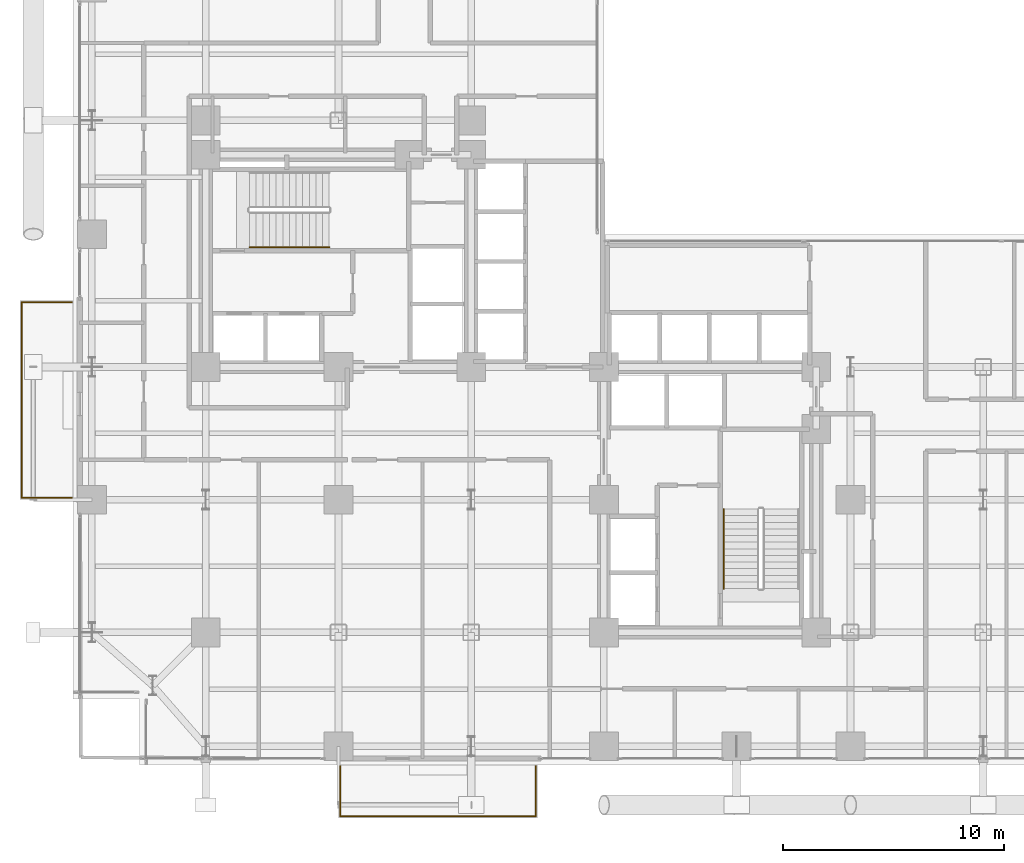
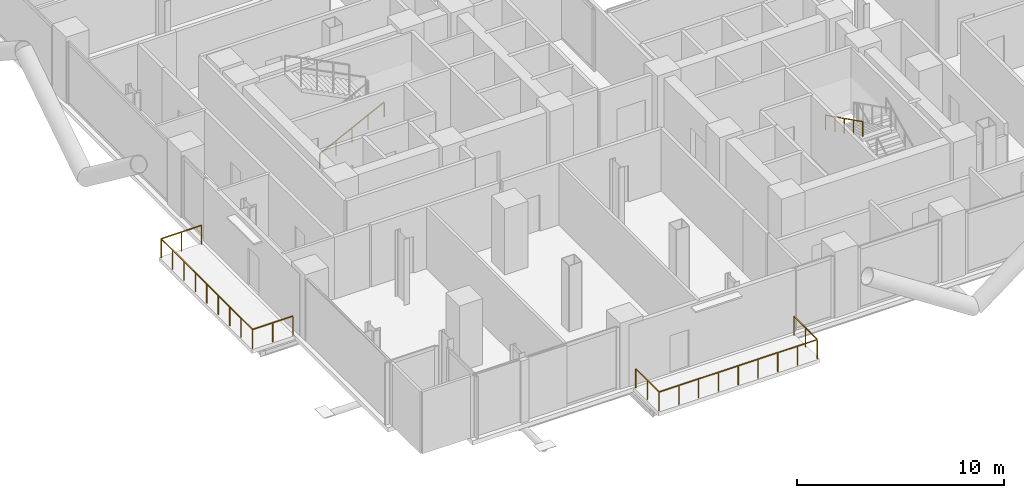
# One storey, part 24 of 25: 4 railings.
"""IFC4 building model written with IfcOpenShell, lengths in metres."""

from ifc_helpers import new_model, si_unit, direction, frame, origin, origin_2d, place, context, subcontext, project, spatial, rectangle, extrude, material, type_object, element, save


model = new_model("IFC4")

# Units and contexts
model_context = context("Model", 3, precision=1e-05, world=origin(), true_north=direction((0.0, 1.0)))
body_context = subcontext(model_context, "Body", "Model", "MODEL_VIEW")
ifc_project = project(units=[si_unit("LENGTHUNIT", "METRE"), si_unit("AREAUNIT", "SQUARE_METRE"), si_unit("VOLUMEUNIT", "CUBIC_METRE"), si_unit("PLANEANGLEUNIT", "RADIAN"), si_unit("MASSUNIT", "GRAM", prefix="KILO"), si_unit("THERMODYNAMICTEMPERATUREUNIT", "KELVIN"), si_unit("POWERUNIT", "WATT")], contexts=[model_context])

# Site, building, storey
site_placement = place(None, origin())
site = spatial("IfcSite", under=ifc_project, at=site_placement, CompositionType="ELEMENT")
building_placement = place(site_placement, origin())
building = spatial("IfcBuilding", under=site, at=building_placement, Name="Svarakhadi Broadcast Tower", CompositionType="ELEMENT")
storey_placement = place(building_placement, frame((0.0, 0.0, 63.60009765625)))
storey = spatial("IfcBuildingStorey", under=building, at=storey_placement, Name="L14", CompositionType="ELEMENT", Elevation=63.60009765625)

# Railings
ifc_material_1 = material(Name="Laminated Structural SentryGlas Balustrade 25.5 mm", Category="glass")
railing_type_1 = type_object("IfcRailingType", Name="Guard_Balcony_GR01", PredefinedType="BALUSTRADE", material=ifc_material_1)
railing_1_placement = place(storey_placement, frame((12.080078125, -0.06005859375, 0.0)))
element("IfcRailing", 1, at=railing_1_placement, inside=storey, type_object=railing_type_1, Name="L14 South Tree Balcony Guard GR-05", PredefinedType="BALUSTRADE", context=body_context, shape_type="SweptSolid", body=[
    extrude(rectangle(XDim=0.048095703125, YDim=0.048095703125, at=origin_2d()), frame((0.0, 0.0, 1.1259765625), z_axis=(0.0, -1.0, 0.0), x_axis=(1.0, 0.0, 0.0)), (0.0, 0.0, 1.0), 2.260009765625),
    extrude(rectangle(XDim=0.048095703125, YDim=0.048095703125, at=origin_2d()), frame((0.0, -2.260009765625, 1.1259765625), z_axis=(1.0, 0.0, 0.0), x_axis=(0.0, 1.0, 0.0)), (0.0, 0.0, 1.0), 8.83984375),
    extrude(rectangle(XDim=0.048095703125, YDim=0.048095703125, at=origin_2d()), frame((8.83984375, -2.260009765625, 1.1259765625), z_axis=(0.0, 1.0, 0.0), x_axis=(-1.0, 0.0, 0.0)), (0.0, 0.0, 1.0), 2.260009765625),
    extrude(rectangle(XDim=0.0419921875, YDim=0.0419921875, at=origin_2d()), origin(), (0.0, 0.0, 1.0), 1.101806640625),
    extrude(rectangle(XDim=0.0419921875, YDim=0.0419921875, at=origin_2d()), frame((0.0, -1.1298828125, 0.0)), (0.0, 0.0, 1.0), 1.101806640625),
    extrude(rectangle(XDim=0.0419921875, YDim=0.0419921875, at=origin_2d()), frame((0.0, -2.260009765625, 0.0)), (0.0, 0.0, 1.0), 1.101806640625),
    extrude(rectangle(XDim=0.0419921875, YDim=0.0419921875, at=origin_2d()), frame((1.10498046875, -2.260009765625, 0.0)), (0.0, 0.0, 1.0), 1.101806640625),
    extrude(rectangle(XDim=0.0419921875, YDim=0.0419921875, at=origin_2d()), frame((2.2099609375, -2.260009765625, 0.0)), (0.0, 0.0, 1.0), 1.101806640625),
    extrude(rectangle(XDim=0.0419921875, YDim=0.0419921875, at=origin_2d()), frame((3.31494140625, -2.260009765625, 0.0)), (0.0, 0.0, 1.0), 1.101806640625),
    extrude(rectangle(XDim=0.0419921875, YDim=0.0419921875, at=origin_2d()), frame((4.419921875, -2.260009765625, 0.0)), (0.0, 0.0, 1.0), 1.101806640625),
    extrude(rectangle(XDim=0.0419921875, YDim=0.0419921875, at=origin_2d()), frame((5.52490234375, -2.260009765625, 0.0)), (0.0, 0.0, 1.0), 1.101806640625),
    extrude(rectangle(XDim=0.0419921875, YDim=0.0419921875, at=origin_2d()), frame((6.6298828125, -2.260009765625, 0.0)), (0.0, 0.0, 1.0), 1.101806640625),
    extrude(rectangle(XDim=0.0419921875, YDim=0.0419921875, at=origin_2d()), frame((7.73486328125, -2.260009765625, 0.0)), (0.0, 0.0, 1.0), 1.101806640625),
    extrude(rectangle(XDim=0.0419921875, YDim=0.0419921875, at=origin_2d()), frame((8.83984375, -2.260009765625, 0.0)), (0.0, 0.0, 1.0), 1.101806640625),
    extrude(rectangle(XDim=0.0419921875, YDim=0.0419921875, at=origin_2d()), frame((8.83984375, -1.1298828125, 0.0)), (0.0, 0.0, 1.0), 1.101806640625),
    extrude(rectangle(XDim=0.0419921875, YDim=0.0419921875, at=origin_2d()), frame((8.83984375, 0.0, 0.0)), (0.0, 0.0, 1.0), 1.101806640625),
])
railing_2_placement = place(storey_placement, frame((-0.06005859375, 12.080078125, 0.0)))
element("IfcRailing", 2, at=railing_2_placement, inside=storey, type_object=railing_type_1, Name="L14 West Tree Balcony Guard GR-05", PredefinedType="BALUSTRADE", context=body_context, shape_type="SweptSolid", body=[
    extrude(rectangle(XDim=0.048095703125, YDim=0.048095703125, at=origin_2d()), frame((0.0, 0.0, 1.1259765625), z_axis=(-1.0, 0.0, 0.0), x_axis=(0.0, -1.0, 0.0)), (0.0, 0.0, 1.0), 2.260009765625),
    extrude(rectangle(XDim=0.048095703125, YDim=0.048095703125, at=origin_2d()), frame((-2.260009765625, 0.0, 1.1259765625), z_axis=(0.0, 1.0, 0.0), x_axis=(-1.0, 0.0, 0.0)), (0.0, 0.0, 1.0), 8.83984375),
    extrude(rectangle(XDim=0.048095703125, YDim=0.048095703125, at=origin_2d()), frame((-2.260009765625, 8.83984375, 1.1259765625), z_axis=(1.0, 0.0, 0.0), x_axis=(0.0, 1.0, 0.0)), (0.0, 0.0, 1.0), 2.260009765625),
    extrude(rectangle(XDim=0.0419921875, YDim=0.0419921875, at=origin_2d()), origin(), (0.0, 0.0, 1.0), 1.101806640625),
    extrude(rectangle(XDim=0.0419921875, YDim=0.0419921875, at=origin_2d()), frame((-1.1298828125, 0.0, 0.0)), (0.0, 0.0, 1.0), 1.101806640625),
    extrude(rectangle(XDim=0.0419921875, YDim=0.0419921875, at=origin_2d()), frame((-2.260009765625, 0.0, 0.0)), (0.0, 0.0, 1.0), 1.101806640625),
    extrude(rectangle(XDim=0.0419921875, YDim=0.0419921875, at=origin_2d()), frame((-2.260009765625, 1.10498046875, 0.0)), (0.0, 0.0, 1.0), 1.101806640625),
    extrude(rectangle(XDim=0.0419921875, YDim=0.0419921875, at=origin_2d()), frame((-2.260009765625, 2.2099609375, 0.0)), (0.0, 0.0, 1.0), 1.101806640625),
    extrude(rectangle(XDim=0.0419921875, YDim=0.0419921875, at=origin_2d()), frame((-2.260009765625, 3.31494140625, 0.0)), (0.0, 0.0, 1.0), 1.101806640625),
    extrude(rectangle(XDim=0.0419921875, YDim=0.0419921875, at=origin_2d()), frame((-2.260009765625, 4.419921875, 0.0)), (0.0, 0.0, 1.0), 1.101806640625),
    extrude(rectangle(XDim=0.0419921875, YDim=0.0419921875, at=origin_2d()), frame((-2.260009765625, 5.52490234375, 0.0)), (0.0, 0.0, 1.0), 1.101806640625),
    extrude(rectangle(XDim=0.0419921875, YDim=0.0419921875, at=origin_2d()), frame((-2.260009765625, 6.6298828125, 0.0)), (0.0, 0.0, 1.0), 1.101806640625),
    extrude(rectangle(XDim=0.0419921875, YDim=0.0419921875, at=origin_2d()), frame((-2.260009765625, 7.73486328125, 0.0)), (0.0, 0.0, 1.0), 1.101806640625),
    extrude(rectangle(XDim=0.0419921875, YDim=0.0419921875, at=origin_2d()), frame((-2.260009765625, 8.83984375, 0.0)), (0.0, 0.0, 1.0), 1.101806640625),
    extrude(rectangle(XDim=0.0419921875, YDim=0.0419921875, at=origin_2d()), frame((-1.1298828125, 8.83984375, 0.0)), (0.0, 0.0, 1.0), 1.101806640625),
    extrude(rectangle(XDim=0.0419921875, YDim=0.0419921875, at=origin_2d()), frame((0.0, 8.83984375, 0.0)), (0.0, 0.0, 1.0), 1.101806640625),
])
ifc_material_2 = material(Name="Anodised Bronze Aluminium AA 6063-T6", Category="aluminium")
railing_type_2 = type_object("IfcRailingType", Name="Handrail_Stair_HR01", PredefinedType="HANDRAIL", material=ifc_material_2)
railing_3_placement = place(storey_placement, frame((7.97998046875, 23.409912109375, 0.14990234375)))
element("IfcRailing", 3, at=railing_3_placement, inside=storey, type_object=railing_type_2, Name="L14 ST-01 stair handrail 1", PredefinedType="HANDRAIL", context=body_context, shape_type="SweptSolid", body=[
    extrude(rectangle(XDim=0.048095703125, YDim=0.048095703125, at=origin_2d()), frame((0.0, 0.0, 0.8759765625), z_axis=(0.894427191, 0.0, 0.4472135955), x_axis=(0.0, 1.0, 0.0)), (0.0, 0.0, 1.0), 4.025146484375),
    extrude(rectangle(XDim=0.0419921875, YDim=0.0419921875, at=origin_2d()), origin(), (0.0, 0.0, 1.0), 0.851806640625),
    extrude(rectangle(XDim=0.0419921875, YDim=0.0419921875, at=origin_2d()), frame((0.89990234375, 0.0, 0.449951171875)), (0.0, 0.0, 1.0), 0.851806640625),
    extrude(rectangle(XDim=0.0419921875, YDim=0.0419921875, at=origin_2d()), frame((1.800048828125, 0.0, 0.89990234375)), (0.0, 0.0, 1.0), 0.851806640625),
    extrude(rectangle(XDim=0.0419921875, YDim=0.0419921875, at=origin_2d()), frame((2.7001953125, 0.0, 1.35009765625)), (0.0, 0.0, 1.0), 0.851806640625),
    extrude(rectangle(XDim=0.0419921875, YDim=0.0419921875, at=origin_2d()), frame((3.60009765625, 0.0, 1.800048828125)), (0.0, 0.0, 1.0), 0.851806640625),
])
railing_4_placement = place(storey_placement, frame((29.409912109375, 11.580078125, 2.099853515625)))
element("IfcRailing", 4, at=railing_4_placement, inside=storey, type_object=railing_type_2, Name="L14 ST-02 stair handrail 2", PredefinedType="HANDRAIL", context=body_context, shape_type="SweptSolid", body=[
    extrude(rectangle(XDim=0.048095703125, YDim=0.048095703125, at=origin_2d()), frame((0.0, 0.0, 0.8759765625), z_axis=(0.0, -0.894427191, 0.4472135955), x_axis=(1.0, 0.0, 0.0)), (0.0, 0.0, 1.0), 4.025146484375),
    extrude(rectangle(XDim=0.0419921875, YDim=0.0419921875, at=origin_2d()), origin(), (0.0, 0.0, 1.0), 0.851806640625),
    extrude(rectangle(XDim=0.0419921875, YDim=0.0419921875, at=origin_2d()), frame((0.0, -0.89990234375, 0.449951171875)), (0.0, 0.0, 1.0), 0.851806640625),
    extrude(rectangle(XDim=0.0419921875, YDim=0.0419921875, at=origin_2d()), frame((0.0, -1.800048828125, 0.89990234375)), (0.0, 0.0, 1.0), 0.851806640625),
    extrude(rectangle(XDim=0.0419921875, YDim=0.0419921875, at=origin_2d()), frame((0.0, -2.7001953125, 1.35009765625)), (0.0, 0.0, 1.0), 0.851806640625),
    extrude(rectangle(XDim=0.0419921875, YDim=0.0419921875, at=origin_2d()), frame((0.0, -3.60009765625, 1.800048828125)), (0.0, 0.0, 1.0), 0.851806640625),
])

save(model, "model.ifc")
